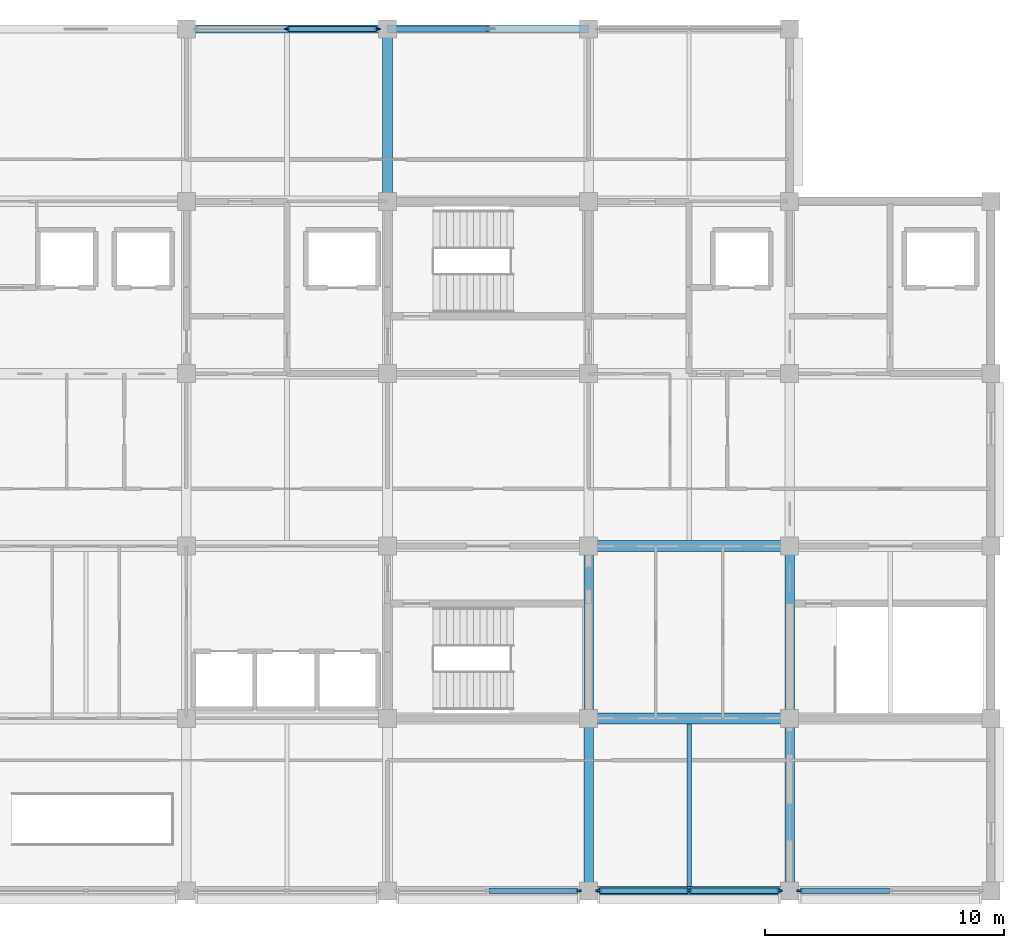
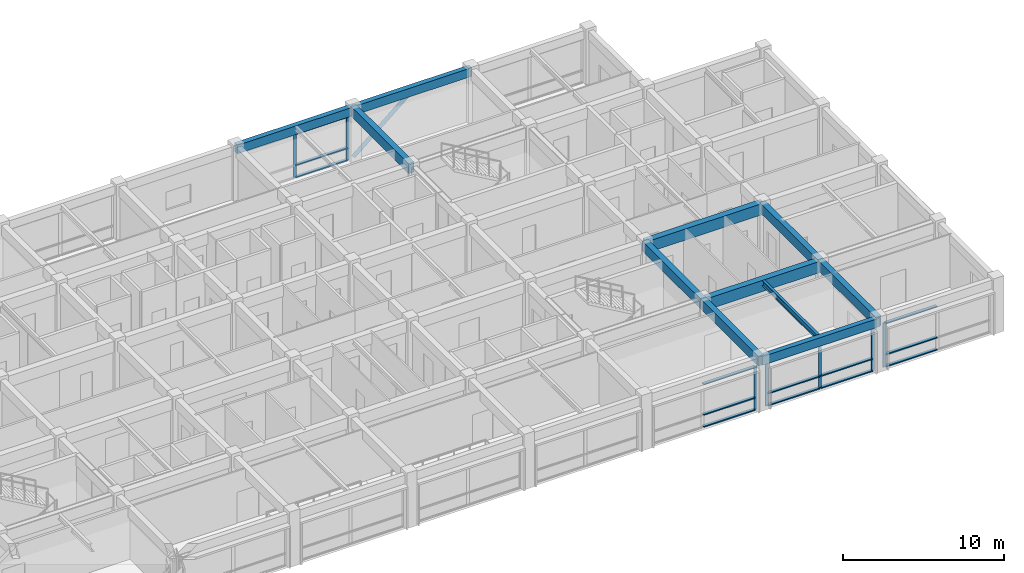
# One storey, part 6 of 23: 23 members, 11 beams, 4 elements without a shape of their own.
"""IFC4 building model written with IfcOpenShell, lengths in metres."""

import ifcopenshell
import ifcopenshell.guid

model = None  # the IFC model being written
_history = None  # IfcOwnerHistory: only IFC2X3 demands one
_inside = {}  # id of a spatial element -> (the spatial element, [elements in it])
_under = {}  # id of a project, library or spatial element -> (it, [spatial elements below it])
_declared = {}  # id of a project -> (the project, [libraries it declares])
_typed = {}  # id of a type object -> (the type object, [elements of that type])
_made_of = {}  # id of a material, layer set ... -> (it, [elements and type objects made of it])


def new_model(schema):
    """Start an empty IFC model of exactly this schema.

    Asked for "IFC4X3", IfcOpenShell would pick the latest addendum, in which some entities
    have other attributes; the version numbers below select the first issue.
    IFC2X3 requires an IfcOwnerHistory on every rooted entity: one is made here for all.
    """
    global model, _history
    if schema == "IFC4X3":
        model = ifcopenshell.file(schema_version=(4, 3, 0, 0))
    else:
        model = ifcopenshell.file(schema=schema)
    _inside.clear()
    _under.clear()
    _declared.clear()
    _typed.clear()
    _made_of.clear()
    _history = None
    if model.schema == "IFC2X3":
        org = make("IfcOrganization", Name="unknown")
        user = make(
            "IfcPersonAndOrganization",
            ThePerson=make("IfcPerson", FamilyName="unknown"),
            TheOrganization=org,
        )
        app = make(
            "IfcApplication",
            ApplicationDeveloper=org,
            Version="unknown",
            ApplicationFullName="unknown",
            ApplicationIdentifier="unknown",
        )
        _history = make(
            "IfcOwnerHistory",
            OwningUser=user,
            OwningApplication=app,
            ChangeAction="ADDED",
            CreationDate=0,
        )
    return model


def make(cls, **values):
    """One entity of the class cls with the attributes given. An attribute that is None is left unset."""
    return model.create_entity(
        cls, **{name: value for name, value in values.items() if value is not None}
    )


def rooted(cls, **values):
    """An entity with a GlobalId (a new one), such as an element, a storey or a relation."""
    return make(cls, GlobalId=ifcopenshell.guid.new(), OwnerHistory=_history, **values)


def si_unit(unit_type, name, prefix=None):
    """IfcSIUnit, for example si_unit("LENGTHUNIT", "METRE", prefix="MILLI")."""
    return make("IfcSIUnit", UnitType=unit_type, Prefix=prefix, Name=name)


def assignment(units):
    """IfcUnitAssignment: the units of a project."""
    return None if units is None else make("IfcUnitAssignment", Units=units)


def point(xyz):
    """IfcCartesianPoint."""
    return None if xyz is None else make("IfcCartesianPoint", Coordinates=xyz)


def direction(xyz):
    """IfcDirection."""
    return None if xyz is None else make("IfcDirection", DirectionRatios=xyz)


def frame(location, z_axis=None, x_axis=None):
    """IfcAxis2Placement3D, a coordinate frame: its origin and axes. An axis left out is left unset."""
    return make(
        "IfcAxis2Placement3D",
        Location=point(location),
        Axis=direction(z_axis),
        RefDirection=direction(x_axis),
    )


def frame_2d(location, x_axis=None):
    """IfcAxis2Placement2D, a coordinate frame in the plane: its origin and x axis."""
    return make(
        "IfcAxis2Placement2D", Location=point(location), RefDirection=direction(x_axis)
    )


def origin():
    """The frame at (0, 0, 0) with its axes left unset."""
    return frame((0.0, 0.0, 0.0))


def origin_2d():
    """The frame at (0, 0) in the plane with its x axis left unset."""
    return frame_2d((0.0, 0.0))


def place(relative_to, where):
    """IfcLocalPlacement: puts the frame where relative to a parent placement (None: the world)."""
    return make(
        "IfcLocalPlacement", PlacementRelTo=relative_to, RelativePlacement=where
    )


def context(
    kind, dimensions, precision=None, world=None, true_north=None, identifier=None
):
    """IfcGeometricRepresentationContext, for example the 3D "Model" context."""
    return make(
        "IfcGeometricRepresentationContext",
        ContextIdentifier=identifier,
        ContextType=kind,
        CoordinateSpaceDimension=dimensions,
        Precision=precision,
        WorldCoordinateSystem=world,
        TrueNorth=true_north,
    )


def subcontext(parent, identifier, kind, view, scale=None):
    """IfcGeometricRepresentationSubContext, for example "Body" below "Model"."""
    return make(
        "IfcGeometricRepresentationSubContext",
        ContextIdentifier=identifier,
        ContextType=kind,
        ParentContext=parent,
        TargetScale=scale,
        TargetView=view,
    )


def project(units=None, contexts=None):
    """IfcProject with its units and contexts."""
    return rooted(
        "IfcProject",
        Name="project",
        RepresentationContexts=contexts,
        UnitsInContext=assignment(units),
    )


def spatial(cls, under=None, at=None, **own):
    """A site, building, storey or space (cls), placed at a placement, below another one or the project."""
    s = rooted(cls, ObjectPlacement=at, **own)
    if under is not None:
        _under.setdefault(under.id(), (under, []))[1].append(s)
    return s


def profile(cls, at=None, kind="AREA", **sizes):
    """A parametric profile (cls). Its sizes go by their IFC names, for example OverallWidth=200.0."""
    return make(cls, ProfileType=kind, Position=at, **sizes)


def rectangle(**sizes):
    """IfcRectangleProfileDef."""
    return profile("IfcRectangleProfileDef", **sizes)


def hollow_circle(**sizes):
    """IfcCircleHollowProfileDef."""
    return profile("IfcCircleHollowProfileDef", **sizes)


def i_section(**sizes):
    """IfcIShapeProfileDef."""
    return profile("IfcIShapeProfileDef", **sizes)


def extrude(swept, where, along, depth):
    """IfcExtrudedAreaSolid: the profile swept, set in the frame where, extruded along a direction by depth."""
    return make(
        "IfcExtrudedAreaSolid",
        SweptArea=swept,
        Position=where,
        ExtrudedDirection=direction(along),
        Depth=depth,
    )


def shape(context_of_items, identifier, shape_type, items):
    """IfcShapeRepresentation: the items that make up one representation, for example the "Body"."""
    return make(
        "IfcShapeRepresentation",
        ContextOfItems=context_of_items,
        RepresentationIdentifier=identifier,
        RepresentationType=shape_type,
        Items=items,
    )


def material(Name=None, Category=None):
    """IfcMaterial."""
    return make("IfcMaterial", Name=Name, Category=Category)


def layer(
    of_material, thickness, ventilated=None, Name=None, Category=None, Priority=None
):
    """IfcMaterialLayer: one layer of a wall or slab, of a material (None: an air gap)."""
    return make(
        "IfcMaterialLayer",
        Material=of_material,
        LayerThickness=thickness,
        IsVentilated=ventilated,
        Name=Name,
        Category=Category,
        Priority=Priority,
    )


def layer_set(layers, Name=None):
    """IfcMaterialLayerSet."""
    return make("IfcMaterialLayerSet", MaterialLayers=layers, LayerSetName=Name)


def material_profile(
    of_material, cross_section, Name=None, Category=None, Priority=None
):
    """IfcMaterialProfile: a cross section and its material."""
    return make(
        "IfcMaterialProfile",
        Name=Name,
        Material=of_material,
        Profile=cross_section,
        Priority=Priority,
        Category=Category,
    )


def profile_set(profiles, Name=None, composite=None):
    """IfcMaterialProfileSet."""
    return make(
        "IfcMaterialProfileSet",
        Name=Name,
        MaterialProfiles=profiles,
        CompositeProfile=composite,
    )


def made_of(thing, what):
    """Note that an element or type object is made of a material, layer set ...; save() writes the relation."""
    if what is not None:
        _made_of.setdefault(what.id(), (what, []))[1].append(thing)
    return thing


def type_object(cls, material=None, **own):
    """A type object (cls), such as IfcWallType, which elements share."""
    return made_of(rooted(cls, **own), material)


def element(
    cls,
    number,
    at=None,
    inside=None,
    cuts=None,
    type_object=None,
    material=None,
    context=None,
    identifier="Body",
    shape_type=None,
    held_by="IfcProductDefinitionShape",
    body=None,
    shapes=None,
    **own,
):
    """One element of the class cls, such as IfcWall. Its Tag is "e" and its number.

    at: its placement. inside: the storey or other place that contains it. cuts: it is an
    opening in that element (IfcRelVoidsElement). A single representation is given by context,
    identifier, shape_type and body (its items); several are given by shapes. held_by: the class
    of the entity that holds the representations. save() writes the other relations.
    """
    e = rooted(cls, Tag="e%d" % number, ObjectPlacement=at, **own)
    if body is not None:
        shapes = [shape(context, identifier, shape_type, body)]
    if shapes is not None:
        e.Representation = make(held_by, Representations=shapes)
    if inside is not None:
        _inside.setdefault(inside.id(), (inside, []))[1].append(e)
    if cuts is not None:
        rooted(
            "IfcRelVoidsElement", RelatingBuildingElement=cuts, RelatedOpeningElement=e
        )
    if type_object is not None:
        _typed.setdefault(type_object.id(), (type_object, []))[1].append(e)
    return made_of(e, material)


def aggregate(whole, parts):
    """IfcRelAggregates: a whole, such as a stair, and the parts it consists of."""
    return rooted("IfcRelAggregates", RelatingObject=whole, RelatedObjects=parts)


def save(model, path):
    """Write the relations noted so far, then the file.

    IfcRelAggregates (storeys below a building ...), IfcRelContainedInSpatialStructure (elements
    in a storey), IfcRelDefinesByType, IfcRelAssociatesMaterial and IfcRelDeclares: one each for
    every whole, place, type object, material and project.
    """
    for whole, parts in _under.values():
        aggregate(whole, parts)
    for where, things in _inside.values():
        rooted(
            "IfcRelContainedInSpatialStructure",
            RelatedElements=things,
            RelatingStructure=where,
        )
    for kind, things in _typed.values():
        rooted("IfcRelDefinesByType", RelatedObjects=things, RelatingType=kind)
    for what, things in _made_of.values():
        rooted("IfcRelAssociatesMaterial", RelatedObjects=things, RelatingMaterial=what)
    for by, libraries in _declared.values():
        rooted("IfcRelDeclares", RelatingContext=by, RelatedDefinitions=libraries)
    model.write(path)


model = new_model("IFC4")

# Units and contexts
model_context = context("Model", 3, precision=1e-05, world=origin(), true_north=direction((0.0, 1.0)))
body_context = subcontext(model_context, "Body", "Model", "MODEL_VIEW")
ifc_project = project(units=[si_unit("LENGTHUNIT", "METRE"), si_unit("AREAUNIT", "SQUARE_METRE"), si_unit("VOLUMEUNIT", "CUBIC_METRE"), si_unit("PLANEANGLEUNIT", "RADIAN"), si_unit("MASSUNIT", "GRAM", prefix="KILO")], contexts=[model_context])

# Site, building, storey
site_placement = place(None, origin())
site = spatial("IfcSite", under=ifc_project, at=site_placement, CompositionType="ELEMENT")
building_placement = place(site_placement, origin())
building = spatial("IfcBuilding", under=site, at=building_placement, Name="Chengyuan Square Courthouse", CompositionType="ELEMENT")
storey_placement = place(building_placement, frame((0.0, 0.0, 43.5)))
storey = spatial("IfcBuildingStorey", under=building, at=storey_placement, Name="L10", CompositionType="ELEMENT", Elevation=43.5)

# Beams
ifc_material_1 = material(Name="Concrete C40", Category="concrete")
ifc_material_profile_1 = material_profile(ifc_material_1, rectangle(XDim=0.449951171875, YDim=0.85009765625, at=origin_2d()), Name="RC-BM-450x850")
ifc_profile_set_1 = profile_set([ifc_material_profile_1], Name="Concrete C40")
beam_type_1 = type_object("IfcBeamType", Name="BM-01", PredefinedType="USERDEFINED", material=ifc_profile_set_1)
for number, where, z_axis, x_axis, name in (
    (1, (109.199951171875, 86.39990234375, 3.52490234375), (1.0, 0.0, 0.0), (0.0, 1.0, 0.0), "Girder BM-L10-4044"),
    (2, (109.199951171875, 93.60009765625, 3.52490234375), (1.0, 0.0, 0.0), (0.0, 1.0, 0.0), "Girder BM-L10-4054"),
):
    element("IfcBeam", number, at=place(storey_placement, frame(where, z_axis=z_axis, x_axis=x_axis)), inside=storey, type_object=beam_type_1, Name=name, ObjectType="GIRDER", PredefinedType="USERDEFINED", context=body_context, shape_type="SweptSolid", body=[
        extrude(rectangle(XDim=0.449951171875, YDim=0.85009765625, at=origin_2d()), origin(), (0.0, 0.0, 1.0), 8.400146484375),
    ])
ifc_material_profile_2 = material_profile(ifc_material_1, rectangle(XDim=0.39990234375, YDim=0.75, at=origin_2d()), Name="RC-BM-400x750")
ifc_profile_set_2 = profile_set([ifc_material_profile_2], Name="Concrete C40")
beam_type_2 = type_object("IfcBeamType", Name="BM-02", PredefinedType="USERDEFINED", material=ifc_profile_set_2)
for number, where, z_axis, x_axis, name in (
    (3, (100.800048828125, 108.0, 3.625), (0.0, 1.0, 0.0), (-1.0, 0.0, 0.0), "Girder BM-L10-4122"),
    (4, (109.199951171875, 79.199951171875, 3.574951171875), (0.0, 1.0, 0.0), (-1.0, 0.0, 0.0), "Girder BM-L10-4123"),
):
    element("IfcBeam", number, at=place(storey_placement, frame(where, z_axis=z_axis, x_axis=x_axis)), inside=storey, type_object=beam_type_2, Name=name, ObjectType="GIRDER", PredefinedType="USERDEFINED", context=body_context, shape_type="SweptSolid", body=[
        extrude(rectangle(XDim=0.39990234375, YDim=0.75, at=origin_2d()), origin(), (0.0, 0.0, 1.0), 7.199951171875),
    ])
beam_1_placement = place(storey_placement, frame((109.199951171875, 86.39990234375, 3.574951171875), z_axis=(0.0, 1.0, 0.0), x_axis=(-1.0, 0.0, 0.0)))
element("IfcBeam", 5, at=beam_1_placement, inside=storey, type_object=beam_type_2, Name="Girder BM-L10-4124", ObjectType="GIRDER", PredefinedType="USERDEFINED", context=body_context, shape_type="SweptSolid", body=[
    extrude(rectangle(XDim=0.39990234375, YDim=0.75, at=origin_2d()), origin(), (0.0, 0.0, 1.0), 7.2001953125),
])
beam_2_placement = place(storey_placement, frame((117.60009765625, 79.199951171875, 3.574951171875), z_axis=(0.0, 1.0, 0.0), x_axis=(-1.0, 0.0, 0.0)))
element("IfcBeam", 6, at=beam_2_placement, inside=storey, type_object=beam_type_2, Name="Girder BM-L10-4128", ObjectType="GIRDER", PredefinedType="USERDEFINED", context=body_context, shape_type="SweptSolid", body=[
    extrude(rectangle(XDim=0.39990234375, YDim=0.75, at=origin_2d()), origin(), (0.0, 0.0, 1.0), 7.199951171875),
])
beam_3_placement = place(storey_placement, frame((117.60009765625, 86.39990234375, 3.574951171875), z_axis=(0.0, 1.0, 0.0), x_axis=(-1.0, 0.0, 0.0)))
element("IfcBeam", 7, at=beam_3_placement, inside=storey, type_object=beam_type_2, Name="Girder BM-L10-4129", ObjectType="GIRDER", PredefinedType="USERDEFINED", context=body_context, shape_type="SweptSolid", body=[
    extrude(rectangle(XDim=0.39990234375, YDim=0.75, at=origin_2d()), origin(), (0.0, 0.0, 1.0), 7.2001953125),
])
ifc_material_profile_3 = material_profile(ifc_material_1, rectangle(XDim=0.35009765625, YDim=0.64990234375, at=origin_2d()), Name="RC-BM-350x650")
ifc_profile_set_3 = profile_set([ifc_material_profile_3], Name="Concrete C40")
beam_type_3 = type_object("IfcBeamType", Name="BM-03", PredefinedType="SPANDREL", material=ifc_profile_set_3)
for number, where, z_axis, x_axis, name in (
    (8, (109.199951171875, 79.199951171875, 3.625), (1.0, 0.0, 0.0), (0.0, 1.0, 0.0), "Girder BM-L10-4034"),
    (9, (92.39990234375, 115.199951171875, 3.675048828125), (1.0, 0.0, 0.0), (0.0, 1.0, 0.0), "Girder BM-L10-4081"),
):
    element("IfcBeam", number, at=place(storey_placement, frame(where, z_axis=z_axis, x_axis=x_axis)), inside=storey, type_object=beam_type_3, Name=name, PredefinedType="SPANDREL", context=body_context, shape_type="SweptSolid", body=[
        extrude(rectangle(XDim=0.35009765625, YDim=0.64990234375, at=origin_2d()), origin(), (0.0, 0.0, 1.0), 8.400146484375),
    ])
beam_4_placement = place(storey_placement, frame((100.800048828125, 115.199951171875, 3.675048828125), z_axis=(1.0, 0.0, 0.0), x_axis=(0.0, 1.0, 0.0)))
element("IfcBeam", 10, at=beam_4_placement, inside=storey, type_object=beam_type_3, Name="Girder BM-L10-4082", PredefinedType="SPANDREL", context=body_context, shape_type="SweptSolid", body=[
    extrude(rectangle(XDim=0.35009765625, YDim=0.64990234375, at=origin_2d()), origin(), (0.0, 0.0, 1.0), 8.39990234375),
])
ifc_material_2 = material(Name="Steel Q355B", Category="steel")
ifc_material_profile_4 = material_profile(ifc_material_2, i_section(OverallWidth=0.199951171875, OverallDepth=0.39990234375, WebThickness=0.008056640625, FlangeThickness=0.012939453125, at=origin_2d()), Name="HN 400x200x8x13")
ifc_profile_set_4 = profile_set([ifc_material_profile_4], Name="Steel Q355B")
beam_type_4 = type_object("IfcBeamType", Name="BM-07", PredefinedType="BEAM", material=ifc_profile_set_4)
beam_5_placement = place(storey_placement, frame((113.39990234375, 79.375, 3.75), z_axis=(0.0, 1.0, 0.0), x_axis=(-1.0, 0.0, 0.0)))
element("IfcBeam", 11, at=beam_5_placement, inside=storey, type_object=beam_type_4, Name="Secondary Floor Beam SBM-L10-4153", PredefinedType="BEAM", context=body_context, shape_type="SweptSolid", body=[
    extrude(i_section(OverallWidth=0.199951171875, OverallDepth=0.39990234375, WebThickness=0.008056640625, FlangeThickness=0.012939453125, at=origin_2d()), origin(), (0.0, 0.0, 1.0), 6.800048828125),
])

# Member
ifc_material_profile_5 = material_profile(ifc_material_2, hollow_circle(Radius=0.136474609375, WallThickness=0.010009765625, at=origin_2d()), Name="CHS 273x10")
ifc_profile_set_5 = profile_set([ifc_material_profile_5], Name="Steel Q355B")
member_type_1 = type_object("IfcMemberType", Name="BR-01", PredefinedType="BRACE", material=ifc_profile_set_5)
member_1_placement = place(storey_placement, frame((100.800048828125, 115.199951171875, 0.10009765625), z_axis=(0.763744856955, 0.0, 0.645518236361), x_axis=(0.0, 1.0, 0.0)))
element("IfcMember", 12, at=member_1_placement, inside=storey, type_object=member_type_1, Name="Steel Chevron Brace BR-L10-039", PredefinedType="BRACE", context=body_context, shape_type="SweptSolid", body=[
    extrude(hollow_circle(Radius=0.136474609375, WallThickness=0.010009765625, at=origin_2d()), origin(), (0.0, 0.0, 1.0), 5.499267578125),
])

# Curtain wall, members
ifc_material_3 = material(Name="Unitised Aluminium and Triple Low-E Glass", Category="aluminium")
ifc_layer = layer(ifc_material_3, 0.219970703125)
ifc_layer_set = layer_set([ifc_layer], Name="Unitised Aluminium and Triple Low-E Glass")
curtain_wall_type = type_object("IfcCurtainWallType", Name="CW-04", PredefinedType="USERDEFINED", material=ifc_layer_set)
curtain_wall_1_placement = place(storey_placement, origin())
curtain_wall_1 = element("IfcCurtainWall", 13, at=curtain_wall_1_placement, inside=storey, type_object=curtain_wall_type, Name="Unitised Curtain Wall CW-L10-255", ObjectType="UNITISED CURTAIN WALL", PredefinedType="USERDEFINED")
ifc_material_4 = material(Name="Aluminium 6063-T6 Frame", Category="aluminium")
ifc_material_profile_6 = material_profile(ifc_material_4, rectangle(XDim=0.080078125, YDim=0.219970703125, at=origin_2d()), Name="CW-MUL-80x220")
ifc_profile_set_6 = profile_set([ifc_material_profile_6], Name="Aluminium 6063-T6 Frame")
member_type_2 = type_object("IfcMemberType", Name="CWM-04", PredefinedType="MULLION", material=ifc_profile_set_6)
member_2_placement = place(storey_placement, frame((96.60009765625, 115.199951171875, 0.0), z_axis=(0.0, 0.0, 1.0), x_axis=(0.0, 1.0, 0.0)))
member_2 = element("IfcMember", 14, at=member_2_placement, type_object=member_type_2, Name="CW-04 mullion 2", PredefinedType="MULLION", context=body_context, shape_type="SweptSolid", body=[
    extrude(rectangle(XDim=0.080078125, YDim=0.219970703125, at=origin_2d()), origin(), (0.0, 0.0, 1.0), 3.35009765625),
])
member_3_placement = place(storey_placement, frame((100.385009765625, 115.199951171875, 0.0), z_axis=(0.0, 0.0, 1.0), x_axis=(0.0, 1.0, 0.0)))
member_3 = element("IfcMember", 15, at=member_3_placement, type_object=member_type_2, Name="CW-04 mullion 3", PredefinedType="MULLION", context=body_context, shape_type="SweptSolid", body=[
    extrude(rectangle(XDim=0.080078125, YDim=0.219970703125, at=origin_2d()), origin(), (0.0, 0.0, 1.0), 3.35009765625),
])

# Curtain wall, member
curtain_wall_2_placement = place(storey_placement, origin())
curtain_wall_2 = element("IfcCurtainWall", 16, at=curtain_wall_2_placement, inside=storey, type_object=curtain_wall_type, Name="Unitised Curtain Wall CW-L10-256", ObjectType="UNITISED CURTAIN WALL", PredefinedType="USERDEFINED")
member_4_placement = place(storey_placement, frame((108.784912109375, 79.199951171875, 0.0), z_axis=(0.0, 0.0, 1.0), x_axis=(0.0, 1.0, 0.0)))
member_4 = element("IfcMember", 17, at=member_4_placement, type_object=member_type_2, Name="CW-04 mullion 3", PredefinedType="MULLION", context=body_context, shape_type="SweptSolid", body=[
    extrude(rectangle(XDim=0.080078125, YDim=0.219970703125, at=origin_2d()), origin(), (0.0, 0.0, 1.0), 3.300048828125),
])

# Curtain wall, members
curtain_wall_3_placement = place(storey_placement, origin())
curtain_wall_3 = element("IfcCurtainWall", 18, at=curtain_wall_3_placement, inside=storey, type_object=curtain_wall_type, Name="Unitised Curtain Wall CW-L10-257", ObjectType="UNITISED CURTAIN WALL", PredefinedType="USERDEFINED")
member_5_placement = place(storey_placement, frame((109.614990234375, 79.199951171875, 0.0), z_axis=(0.0, 0.0, 1.0), x_axis=(0.0, 1.0, 0.0)))
member_5 = element("IfcMember", 19, at=member_5_placement, type_object=member_type_2, Name="CW-04 mullion 1", PredefinedType="MULLION", context=body_context, shape_type="SweptSolid", body=[
    extrude(rectangle(XDim=0.080078125, YDim=0.219970703125, at=origin_2d()), origin(), (0.0, 0.0, 1.0), 3.300048828125),
])
member_6_placement = place(storey_placement, frame((113.39990234375, 79.199951171875, 0.0), z_axis=(0.0, 0.0, 1.0), x_axis=(0.0, 1.0, 0.0)))
member_6 = element("IfcMember", 20, at=member_6_placement, type_object=member_type_2, Name="CW-04 mullion 2", PredefinedType="MULLION", context=body_context, shape_type="SweptSolid", body=[
    extrude(rectangle(XDim=0.080078125, YDim=0.219970703125, at=origin_2d()), origin(), (0.0, 0.0, 1.0), 3.300048828125),
])
member_7_placement = place(storey_placement, frame((117.18505859375, 79.199951171875, 0.0), z_axis=(0.0, 0.0, 1.0), x_axis=(0.0, 1.0, 0.0)))
member_7 = element("IfcMember", 21, at=member_7_placement, type_object=member_type_2, Name="CW-04 mullion 3", PredefinedType="MULLION", context=body_context, shape_type="SweptSolid", body=[
    extrude(rectangle(XDim=0.080078125, YDim=0.219970703125, at=origin_2d()), origin(), (0.0, 0.0, 1.0), 3.300048828125),
])

# Curtain wall, member
curtain_wall_4_placement = place(storey_placement, origin())
curtain_wall_4 = element("IfcCurtainWall", 22, at=curtain_wall_4_placement, inside=storey, type_object=curtain_wall_type, Name="Unitised Curtain Wall CW-L10-259", ObjectType="UNITISED CURTAIN WALL", PredefinedType="USERDEFINED")
member_8_placement = place(storey_placement, frame((118.014892578125, 79.199951171875, 0.0), z_axis=(0.0, 0.0, 1.0), x_axis=(0.0, 1.0, 0.0)))
member_8 = element("IfcMember", 23, at=member_8_placement, type_object=member_type_2, Name="CW-04 mullion 1", PredefinedType="MULLION", context=body_context, shape_type="SweptSolid", body=[
    extrude(rectangle(XDim=0.080078125, YDim=0.219970703125, at=origin_2d()), origin(), (0.0, 0.0, 1.0), 3.35009765625),
])

# Member
ifc_material_profile_7 = material_profile(ifc_material_4, rectangle(XDim=0.219970703125, YDim=0.080078125, at=origin_2d()), Name="CW-TRN-80x180")
ifc_profile_set_7 = profile_set([ifc_material_profile_7], Name="Aluminium 6063-T6 Frame")
member_type_3 = type_object("IfcMemberType", Name="CWT-04", PredefinedType="USERDEFINED", material=ifc_profile_set_7)
member_9_placement = place(storey_placement, frame((96.639892578125, 115.199951171875, 0.0400390625), z_axis=(1.0, 0.0, 0.0), x_axis=(0.0, 1.0, 0.0)))
member_9 = element("IfcMember", 24, at=member_9_placement, type_object=member_type_3, Name="CW-04 transom 2.1", ObjectType="TRANSOM", PredefinedType="USERDEFINED", context=body_context, shape_type="SweptSolid", body=[
    extrude(rectangle(XDim=0.219970703125, YDim=0.080078125, at=origin_2d()), origin(), (0.0, 0.0, 1.0), 3.705078125),
])

member_10_placement = place(storey_placement, frame((96.639892578125, 115.199951171875, 0.949951171875), z_axis=(1.0, 0.0, 0.0), x_axis=(0.0, 1.0, 0.0)))
member_10 = element("IfcMember", 25, at=member_10_placement, type_object=member_type_3, Name="CW-04 transom 2.2", ObjectType="TRANSOM", PredefinedType="USERDEFINED", context=body_context, shape_type="SweptSolid", body=[
    extrude(rectangle(XDim=0.219970703125, YDim=0.080078125, at=origin_2d()), origin(), (0.0, 0.0, 1.0), 3.705078125),
])

member_11_placement = place(storey_placement, frame((96.639892578125, 115.199951171875, 3.31005859375), z_axis=(1.0, 0.0, 0.0), x_axis=(0.0, 1.0, 0.0)))
member_11 = element("IfcMember", 26, at=member_11_placement, type_object=member_type_3, Name="CW-04 transom 2.3", ObjectType="TRANSOM", PredefinedType="USERDEFINED", context=body_context, shape_type="SweptSolid", body=[
    extrude(rectangle(XDim=0.219970703125, YDim=0.080078125, at=origin_2d()), origin(), (0.0, 0.0, 1.0), 3.705078125),
])

aggregate(curtain_wall_1, [member_2, member_3, member_9, member_10, member_11])

member_12_placement = place(storey_placement, frame((105.0400390625, 79.199951171875, 0.0400390625), z_axis=(1.0, 0.0, 0.0), x_axis=(0.0, 1.0, 0.0)))
member_12 = element("IfcMember", 27, at=member_12_placement, type_object=member_type_3, Name="CW-04 transom 2.1", ObjectType="TRANSOM", PredefinedType="USERDEFINED", context=body_context, shape_type="SweptSolid", body=[
    extrude(rectangle(XDim=0.219970703125, YDim=0.080078125, at=origin_2d()), origin(), (0.0, 0.0, 1.0), 3.705078125),
])

member_13_placement = place(storey_placement, frame((105.0400390625, 79.199951171875, 0.949951171875), z_axis=(1.0, 0.0, 0.0), x_axis=(0.0, 1.0, 0.0)))
member_13 = element("IfcMember", 28, at=member_13_placement, type_object=member_type_3, Name="CW-04 transom 2.2", ObjectType="TRANSOM", PredefinedType="USERDEFINED", context=body_context, shape_type="SweptSolid", body=[
    extrude(rectangle(XDim=0.219970703125, YDim=0.080078125, at=origin_2d()), origin(), (0.0, 0.0, 1.0), 3.705078125),
])

member_14_placement = place(storey_placement, frame((105.0400390625, 79.199951171875, 3.260009765625), z_axis=(1.0, 0.0, 0.0), x_axis=(0.0, 1.0, 0.0)))
member_14 = element("IfcMember", 29, at=member_14_placement, type_object=member_type_3, Name="CW-04 transom 2.3", ObjectType="TRANSOM", PredefinedType="USERDEFINED", context=body_context, shape_type="SweptSolid", body=[
    extrude(rectangle(XDim=0.219970703125, YDim=0.080078125, at=origin_2d()), origin(), (0.0, 0.0, 1.0), 3.705078125),
])

aggregate(curtain_wall_2, [member_4, member_12, member_13, member_14])

member_15_placement = place(storey_placement, frame((109.655029296875, 79.199951171875, 0.0400390625), z_axis=(1.0, 0.0, 0.0), x_axis=(0.0, 1.0, 0.0)))
member_15 = element("IfcMember", 30, at=member_15_placement, type_object=member_type_3, Name="CW-04 transom 1.1", ObjectType="TRANSOM", PredefinedType="USERDEFINED", context=body_context, shape_type="SweptSolid", body=[
    extrude(rectangle(XDim=0.219970703125, YDim=0.080078125, at=origin_2d()), origin(), (0.0, 0.0, 1.0), 3.705078125),
])

member_16_placement = place(storey_placement, frame((109.655029296875, 79.199951171875, 0.949951171875), z_axis=(1.0, 0.0, 0.0), x_axis=(0.0, 1.0, 0.0)))
member_16 = element("IfcMember", 31, at=member_16_placement, type_object=member_type_3, Name="CW-04 transom 1.2", ObjectType="TRANSOM", PredefinedType="USERDEFINED", context=body_context, shape_type="SweptSolid", body=[
    extrude(rectangle(XDim=0.219970703125, YDim=0.080078125, at=origin_2d()), origin(), (0.0, 0.0, 1.0), 3.705078125),
])

member_17_placement = place(storey_placement, frame((109.655029296875, 79.199951171875, 3.260009765625), z_axis=(1.0, 0.0, 0.0), x_axis=(0.0, 1.0, 0.0)))
member_17 = element("IfcMember", 32, at=member_17_placement, type_object=member_type_3, Name="CW-04 transom 1.3", ObjectType="TRANSOM", PredefinedType="USERDEFINED", context=body_context, shape_type="SweptSolid", body=[
    extrude(rectangle(XDim=0.219970703125, YDim=0.080078125, at=origin_2d()), origin(), (0.0, 0.0, 1.0), 3.705078125),
])

member_18_placement = place(storey_placement, frame((113.43994140625, 79.199951171875, 0.0400390625), z_axis=(1.0, 0.0, 0.0), x_axis=(0.0, 1.0, 0.0)))
member_18 = element("IfcMember", 33, at=member_18_placement, type_object=member_type_3, Name="CW-04 transom 2.1", ObjectType="TRANSOM", PredefinedType="USERDEFINED", context=body_context, shape_type="SweptSolid", body=[
    extrude(rectangle(XDim=0.219970703125, YDim=0.080078125, at=origin_2d()), origin(), (0.0, 0.0, 1.0), 3.705078125),
])

member_19_placement = place(storey_placement, frame((113.43994140625, 79.199951171875, 0.949951171875), z_axis=(1.0, 0.0, 0.0), x_axis=(0.0, 1.0, 0.0)))
member_19 = element("IfcMember", 34, at=member_19_placement, type_object=member_type_3, Name="CW-04 transom 2.2", ObjectType="TRANSOM", PredefinedType="USERDEFINED", context=body_context, shape_type="SweptSolid", body=[
    extrude(rectangle(XDim=0.219970703125, YDim=0.080078125, at=origin_2d()), origin(), (0.0, 0.0, 1.0), 3.705078125),
])

member_20_placement = place(storey_placement, frame((113.43994140625, 79.199951171875, 3.260009765625), z_axis=(1.0, 0.0, 0.0), x_axis=(0.0, 1.0, 0.0)))
member_20 = element("IfcMember", 35, at=member_20_placement, type_object=member_type_3, Name="CW-04 transom 2.3", ObjectType="TRANSOM", PredefinedType="USERDEFINED", context=body_context, shape_type="SweptSolid", body=[
    extrude(rectangle(XDim=0.219970703125, YDim=0.080078125, at=origin_2d()), origin(), (0.0, 0.0, 1.0), 3.705078125),
])

aggregate(curtain_wall_3, [member_5, member_6, member_7, member_15, member_16, member_17, member_18, member_19, member_20])

member_21_placement = place(storey_placement, frame((118.054931640625, 79.199951171875, 0.0400390625), z_axis=(1.0, 0.0, 0.0), x_axis=(0.0, 1.0, 0.0)))
member_21 = element("IfcMember", 36, at=member_21_placement, type_object=member_type_3, Name="CW-04 transom 1.1", ObjectType="TRANSOM", PredefinedType="USERDEFINED", context=body_context, shape_type="SweptSolid", body=[
    extrude(rectangle(XDim=0.219970703125, YDim=0.080078125, at=origin_2d()), origin(), (0.0, 0.0, 1.0), 3.705078125),
])

member_22_placement = place(storey_placement, frame((118.054931640625, 79.199951171875, 0.949951171875), z_axis=(1.0, 0.0, 0.0), x_axis=(0.0, 1.0, 0.0)))
member_22 = element("IfcMember", 37, at=member_22_placement, type_object=member_type_3, Name="CW-04 transom 1.2", ObjectType="TRANSOM", PredefinedType="USERDEFINED", context=body_context, shape_type="SweptSolid", body=[
    extrude(rectangle(XDim=0.219970703125, YDim=0.080078125, at=origin_2d()), origin(), (0.0, 0.0, 1.0), 3.705078125),
])

member_23_placement = place(storey_placement, frame((118.054931640625, 79.199951171875, 3.31005859375), z_axis=(1.0, 0.0, 0.0), x_axis=(0.0, 1.0, 0.0)))
member_23 = element("IfcMember", 38, at=member_23_placement, type_object=member_type_3, Name="CW-04 transom 1.3", ObjectType="TRANSOM", PredefinedType="USERDEFINED", context=body_context, shape_type="SweptSolid", body=[
    extrude(rectangle(XDim=0.219970703125, YDim=0.080078125, at=origin_2d()), origin(), (0.0, 0.0, 1.0), 3.705078125),
])

aggregate(curtain_wall_4, [member_8, member_21, member_22, member_23])

save(model, "model.ifc")
